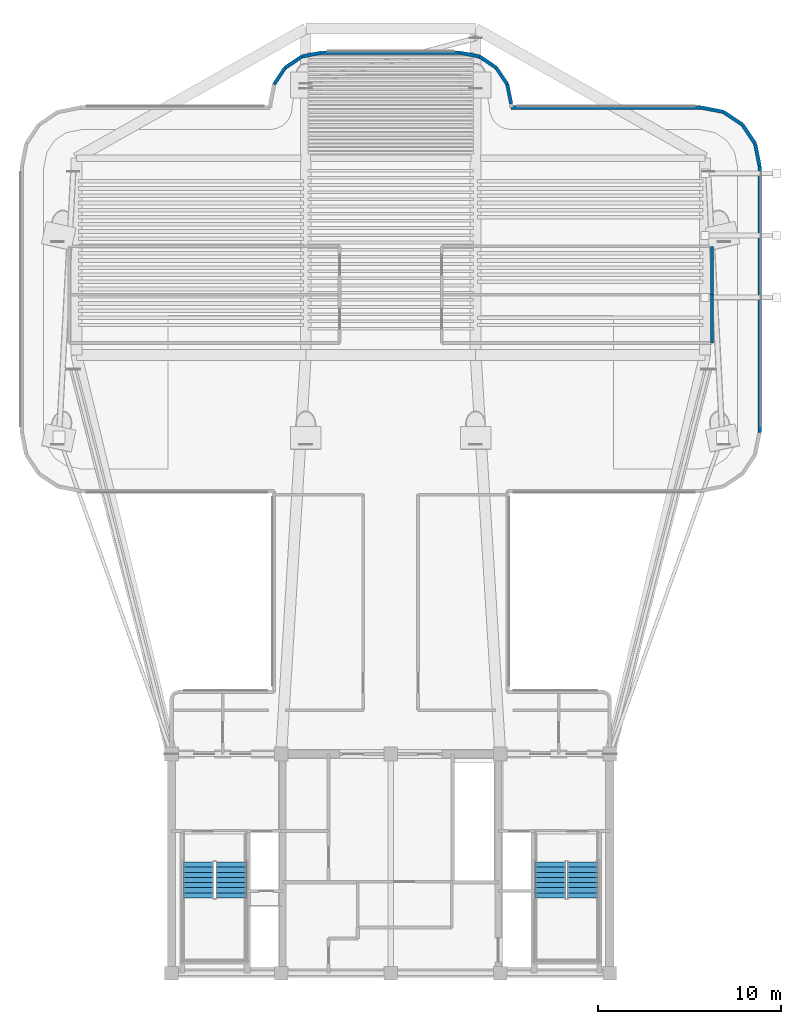
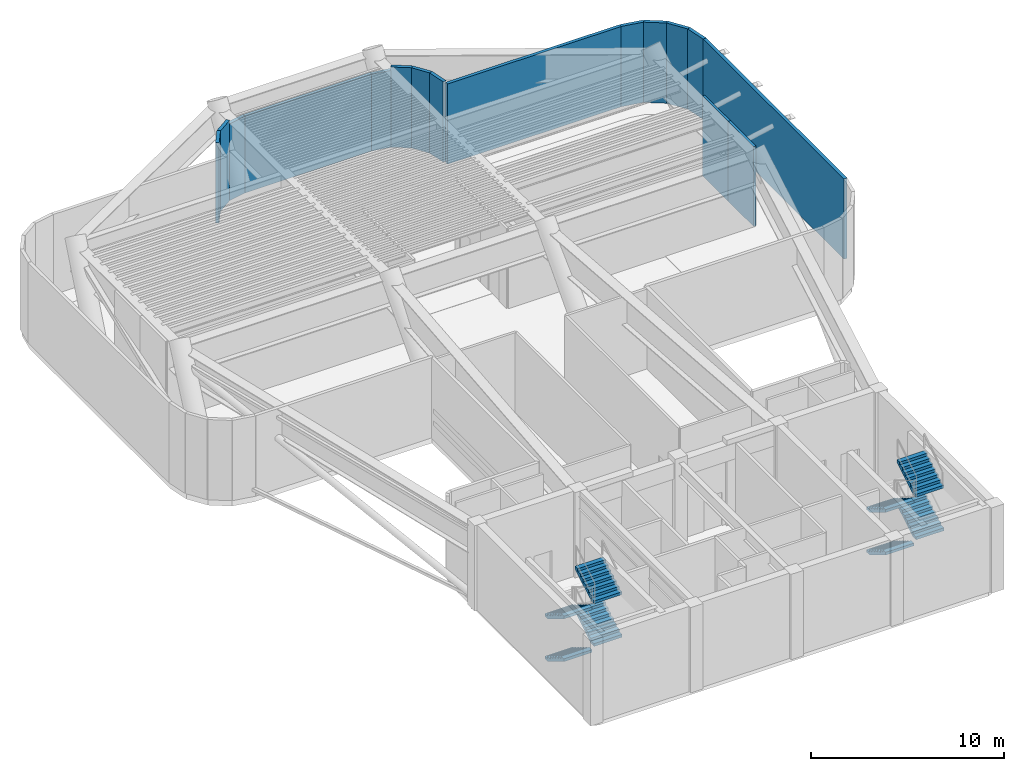
# One storey, part 7 of 11: 16 walls, 8 stair flights, 2 elements without a shape of their own.
"""IFC4 building model written with IfcOpenShell, lengths in metres."""

from ifc_helpers import new_model, si_unit, direction, frame, frame_2d, origin, place, context, subcontext, project, spatial, polyline, rectangle, outline, extrude, material, layer, layer_set, type_object, element, aggregate, save


model = new_model("IFC4")

# Units and contexts
model_context = context("Model", 3, precision=1e-05, world=origin(), true_north=direction((0.0, 1.0)))
body_context = subcontext(model_context, "Body", "Model", "MODEL_VIEW")
ifc_project = project(units=[si_unit("LENGTHUNIT", "METRE"), si_unit("AREAUNIT", "SQUARE_METRE"), si_unit("VOLUMEUNIT", "CUBIC_METRE"), si_unit("PLANEANGLEUNIT", "RADIAN"), si_unit("MASSUNIT", "GRAM", prefix="KILO")], contexts=[model_context])

# Site, building, storey
site_placement = place(None, origin())
site = spatial("IfcSite", under=ifc_project, at=site_placement, CompositionType="ELEMENT")
building_placement = place(site_placement, origin())
building = spatial("IfcBuilding", under=site, at=building_placement, Name="Brelvock Crest Care Tower", CompositionType="ELEMENT")
storey_placement = place(building_placement, frame((0.0, 0.0, 213.1201171875)))
storey = spatial("IfcBuildingStorey", under=building, at=storey_placement, Name="L54", CompositionType="ELEMENT", Elevation=213.1201171875)

# Walls
ifc_material_1 = material(Name="Precast concrete N40 (40 MPa)", Category="concrete")
ifc_layer_1 = layer(ifc_material_1, 0.195068359375, Name="WL-EX3")
ifc_layer_set_1 = layer_set([ifc_layer_1], Name="Precast concrete N40 (40 MPa)")
wall_type_1 = type_object("IfcWallType", Name="WL-EX3", PredefinedType="SOLIDWALL", material=ifc_layer_set_1)
wall_1_placement = place(storey_placement, frame((29.613037109375, 54.67138671875, 0.0), z_axis=(0.0, 0.0, 1.0), x_axis=(0.555679482341, 0.831396603857, 0.0)))
element("IfcWall", 1, at=wall_1_placement, inside=storey, type_object=wall_type_1, Name="L54 Crown and Plant Cladding Wall 25", PredefinedType="SOLIDWALL", context=body_context, shape_type="SweptSolid", body=[
    extrude(rectangle(XDim=1.0927734375, YDim=0.195068359375, at=frame_2d((0.54638671875, 0.0))), origin(), (0.0, 0.0, 1.0), 5.079833984375),
])
wall_2_placement = place(storey_placement, frame((30.22021484375, 55.579833984375, 0.0), z_axis=(0.0, 0.0, 1.0), x_axis=(0.831327592857, 0.555782721353, 0.0)))
element("IfcWall", 2, at=wall_2_placement, inside=storey, type_object=wall_type_1, Name="L54 Crown and Plant Cladding Wall 26", PredefinedType="SOLIDWALL", context=body_context, shape_type="SweptSolid", body=[
    extrude(rectangle(XDim=1.092529296875, YDim=0.195068359375, at=frame_2d((0.54638671875, 0.0))), origin(), (0.0, 0.0, 1.0), 5.079833984375),
])
wall_3_placement = place(storey_placement, frame((31.12841796875, 56.18701171875, 0.0), z_axis=(0.0, 0.0, 1.0), x_axis=(0.980829143587, 0.194869677195, 0.0)))
element("IfcWall", 3, at=wall_3_placement, inside=storey, type_object=wall_type_1, Name="L54 Crown and Plant Cladding Wall 27", PredefinedType="SOLIDWALL", context=body_context, shape_type="SweptSolid", body=[
    extrude(rectangle(XDim=1.092529296875, YDim=0.195068359375, at=frame_2d((0.54638671875, 0.0))), origin(), (0.0, 0.0, 1.0), 4.86083984375),
])
wall_4_placement = place(storey_placement, frame((32.199951171875, 56.39990234375, 0.0), z_axis=(0.0, 0.0, 1.0), x_axis=(1.0, 0.0, 0.0)))
element("IfcWall", 4, at=wall_4_placement, inside=storey, type_object=wall_type_1, Name="L54 Crown and Plant Cladding Wall 28", PredefinedType="SOLIDWALL", context=body_context, shape_type="SweptSolid", body=[
    extrude(rectangle(XDim=7.60009765625, YDim=0.195068359375, at=frame_2d((3.800048828125, 0.0))), origin(), (0.0, 0.0, 1.0), 4.86083984375),
])
wall_5_placement = place(storey_placement, frame((39.800048828125, 56.39990234375, 0.0), z_axis=(0.0, 0.0, 1.0), x_axis=(0.980829143587, -0.194869677195, 0.0)))
element("IfcWall", 5, at=wall_5_placement, inside=storey, type_object=wall_type_1, Name="L54 Crown and Plant Cladding Wall 29", PredefinedType="SOLIDWALL", context=body_context, shape_type="SweptSolid", body=[
    extrude(rectangle(XDim=1.092529296875, YDim=0.195068359375, at=frame_2d((0.54638671875, 0.0))), origin(), (0.0, 0.0, 1.0), 4.86083984375),
])
wall_6_placement = place(storey_placement, frame((40.87158203125, 56.18701171875, 0.0), z_axis=(0.0, 0.0, 1.0), x_axis=(0.831327592857, -0.555782721353, 0.0)))
element("IfcWall", 6, at=wall_6_placement, inside=storey, type_object=wall_type_1, Name="L54 Crown and Plant Cladding Wall 30", PredefinedType="SOLIDWALL", context=body_context, shape_type="SweptSolid", body=[
    extrude(rectangle(XDim=1.092529296875, YDim=0.195068359375, at=frame_2d((0.54638671875, 0.0))), origin(), (0.0, 0.0, 1.0), 5.079833984375),
])
wall_7_placement = place(storey_placement, frame((41.77978515625, 55.579833984375, 0.0), z_axis=(0.0, 0.0, 1.0), x_axis=(0.555679482341, -0.831396603857, 0.0)))
element("IfcWall", 7, at=wall_7_placement, inside=storey, type_object=wall_type_1, Name="L54 Crown and Plant Cladding Wall 31", PredefinedType="SOLIDWALL", context=body_context, shape_type="SweptSolid", body=[
    extrude(rectangle(XDim=1.0927734375, YDim=0.195068359375, at=frame_2d((0.54638671875, 0.0))), origin(), (0.0, 0.0, 1.0), 5.079833984375),
])
wall_8_placement = place(storey_placement, frame((42.386962890625, 54.67138671875, 0.0), z_axis=(0.0, 0.0, 1.0), x_axis=(0.195127417394, -0.980777900945, 0.0)))
element("IfcWall", 8, at=wall_8_placement, inside=storey, type_object=wall_type_1, Name="L54 Crown and Plant Cladding Wall 32", PredefinedType="SOLIDWALL", context=body_context, shape_type="SweptSolid", body=[
    extrude(rectangle(XDim=1.09228515625, YDim=0.195068359375, at=frame_2d((0.546142578125, 0.0))), origin(), (0.0, 0.0, 1.0), 5.079833984375),
])
wall_9_placement = place(storey_placement, frame((42.60009765625, 53.39990234375, 0.0), z_axis=(0.0, 0.0, 1.0), x_axis=(1.0, 0.0, 0.0)))
element("IfcWall", 9, at=wall_9_placement, inside=storey, type_object=wall_type_1, Name="L54 Crown and Plant Cladding Wall 34", PredefinedType="SOLIDWALL", context=body_context, shape_type="SweptSolid", body=[
    extrude(rectangle(XDim=10.39990234375, YDim=0.195068359375, at=frame_2d((5.199951171875, 0.0))), origin(), (0.0, 0.0, 1.0), 5.079833984375),
])
for number, where, z_axis, x_axis, name in (
    (10, (53.0, 53.39990234375, 0.0), (0.0, 0.0, 1.0), (0.980813122964, -0.194950295773, 0.0), "L54 Crown and Plant Cladding Wall 35"),
    (11, (54.224609375, 53.156494140625, 0.0), (0.0, 0.0, 1.0), (0.831387912822, -0.555692485475, 0.0), "L54 Crown and Plant Cladding Wall 36"),
    (12, (55.2626953125, 52.462646484375, 0.0), (0.0, 0.0, 1.0), (0.555557312883, -0.831478245117, 0.0), "L54 Crown and Plant Cladding Wall 37"),
    (13, (55.956298828125, 51.424560546875, 0.0), (0.0, 0.0, 1.0), (0.195138390419, -0.980775717779, 0.0), "L54 Crown and Plant Cladding Wall 38"),
):
    element("IfcWall", number, at=place(storey_placement, frame(where, z_axis=z_axis, x_axis=x_axis)), inside=storey, type_object=wall_type_1, Name=name, PredefinedType="SOLIDWALL", context=body_context, shape_type="SweptSolid", body=[
        extrude(rectangle(XDim=1.24853515625, YDim=0.195068359375, at=frame_2d((0.624267578125, 0.0))), origin(), (0.0, 0.0, 1.0), 5.079833984375),
    ])
wall_10_placement = place(storey_placement, frame((56.199951171875, 50.199951171875, 0.0), z_axis=(0.0, 0.0, 1.0), x_axis=(0.0, -1.0, 0.0)))
element("IfcWall", 14, at=wall_10_placement, inside=storey, type_object=wall_type_1, Name="L54 Crown and Plant Cladding Wall 39", PredefinedType="SOLIDWALL", context=body_context, shape_type="SweptSolid", body=[
    extrude(rectangle(XDim=14.599853515625, YDim=0.195068359375, at=frame_2d((7.2998046875, 0.0))), origin(), (0.0, 0.0, 1.0), 5.079833984375),
])
ifc_material_2 = material(Name="Masonry Blockwork Acoustic Partition", Category="masonry")
ifc_layer_2 = layer(ifc_material_2, 0.14990234375, Name="WL-INT1")
ifc_layer_set_2 = layer_set([ifc_layer_2], Name="Masonry Blockwork Acoustic Partition")
wall_type_2 = type_object("IfcWallType", Name="WL-INT1", PredefinedType="PARTITIONING", material=ifc_layer_set_2)
wall_11_placement = place(storey_placement, frame((53.60009765625, 40.5, 0.0), z_axis=(0.0, 0.0, 1.0), x_axis=(0.0, 1.0, 0.0)))
element("IfcWall", 15, at=wall_11_placement, inside=storey, type_object=wall_type_2, Name="L54 Interior Wall WL-BX-L54-CHLE-E", PredefinedType="PARTITIONING", context=body_context, shape_type="SweptSolid", body=[
    extrude(rectangle(XDim=2.64990234375, YDim=0.14990234375, at=frame_2d((1.324951171875, 0.0))), origin(), (0.0, 0.0, 1.0), 5.0498046875),
])
wall_12_placement = place(storey_placement, frame((53.60009765625, 43.14990234375, 0.0), z_axis=(0.0, 0.0, 1.0), x_axis=(0.0, 1.0, 0.0)))
element("IfcWall", 16, at=wall_12_placement, inside=storey, type_object=wall_type_2, Name="L54 Interior Wall WL-BX-L54-SWGE-E", PredefinedType="PARTITIONING", context=body_context, shape_type="SweptSolid", body=[
    extrude(rectangle(XDim=2.650146484375, YDim=0.14990234375, at=frame_2d((1.3251953125, 0.0))), origin(), (0.0, 0.0, 1.0), 5.0498046875),
])

# Stair, stair flights
ifc_material_3 = material(Name="Concrete N40 (40 MPa)", Category="concrete")
stair_type = type_object("IfcStairType", Name="ST-CORE1", PredefinedType="HALF_TURN_STAIR", material=ifc_material_3)
stair_1_placement = place(storey_placement, origin())
stair_1 = element("IfcStair", 17, at=stair_1_placement, inside=storey, type_object=stair_type, Name="L54 Fire-Isolated Core Stair ST-1", PredefinedType="HALF_TURN_STAIR")
stair_flight_type = type_object("IfcStairFlightType", Name="STF-1", PredefinedType="STRAIGHT", material=ifc_material_3)
stair_flight_1_placement = place(storey_placement, frame((25.469970703125, 12.080078125, 0.0), z_axis=(0.0, 0.0, 1.0), x_axis=(0.0, -1.0, 0.0)))
stair_flight_1 = element("IfcStairFlight", 18, at=stair_flight_1_placement, type_object=stair_flight_type, Name="ST-1 flight 1", NumberOfRisers=8, NumberOfTreads=7, PredefinedType="STRAIGHT", RiserHeight=0.16875, TreadLength=0.28, context=body_context, shape_type="SweptSolid", body=[
    extrude(outline(polyline([(-0.00390625, -0.014892578125), (-0.00390625, -0.008544921875), (-0.00390625, -0.001953125), (-0.00390625, 0.004638671875), (-0.00390625, 0.01123046875), (-0.00390625, 0.017822265625), (-0.00390625, 0.0244140625), (-0.00390625, 0.031005859375), (-0.00390625, 0.03759765625), (-0.00390625, 0.0439453125), (-0.00390625, 0.050537109375), (-0.00390625, 0.05712890625), (-0.00390625, 0.063720703125), (-0.00390625, 0.0703125), (-0.00390625, 0.076904296875), (-0.00390625, 0.08349609375), (-0.00390625, 0.090087890625), (-0.00390625, 0.0966796875), (-0.00390625, 0.10302734375), (-0.00390625, 0.109619140625), (-0.00390625, 0.1162109375), (-0.00390625, 0.122802734375), (-0.00390625, 0.12939453125), (-0.00390625, 0.135986328125), (-0.00390625, 0.142578125), (-0.00390625, 0.149169921875), (-0.00390625, 0.155517578125), (-0.00390625, 0.162109375), (-0.00390625, 0.168701171875), (0.0, 0.168701171875), (0.280029296875, 0.168701171875), (0.280029296875, 0.33740234375), (0.56005859375, 0.33740234375), (0.56005859375, 0.50634765625), (0.840087890625, 0.50634765625), (0.840087890625, 0.675048828125), (1.1201171875, 0.675048828125), (1.1201171875, 0.84375), (1.39990234375, 0.84375), (1.39990234375, 1.012451171875), (1.679931640625, 1.012451171875), (1.679931640625, 1.18115234375), (1.9599609375, 1.18115234375), (1.964111328125, 1.18115234375), (1.9638671875, 1.18017578125), (1.964111328125, 1.17919921875), (1.9638671875, 1.17822265625), (1.964111328125, 1.177001953125), (1.9638671875, 1.176025390625), (1.964111328125, 1.175048828125), (1.9638671875, 1.173828125), (1.964111328125, 1.1728515625), (1.9638671875, 1.171875), (1.964111328125, 1.1708984375), (1.9638671875, 1.169677734375), (1.964111328125, 1.168701171875), (1.9638671875, 1.167724609375), (1.964111328125, 1.166748046875), (1.9638671875, 1.16552734375), (1.964111328125, 1.16455078125), (1.9638671875, 1.16357421875), (1.964111328125, 1.162353515625), (1.9638671875, 1.161376953125), (1.964111328125, 1.160400390625), (1.9638671875, 1.159423828125), (1.964111328125, 1.158203125), (1.9638671875, 1.1572265625), (1.964111328125, 1.15625), (1.9638671875, 1.155029296875), (1.964111328125, 1.154052734375), (1.9638671875, 1.153076171875), (1.964111328125, 1.152099609375), (1.9599609375, 1.00634765625), (0.29052734375, 0.0), (0.0, 0.0), (0.0, -0.014892578125), (-0.00390625, -0.014892578125)])), frame((0.0, 0.83984375, 0.0), z_axis=(0.0, -1.0, 0.0), x_axis=(1.0, 0.0, 0.0)), (0.0, 0.0, 1.0), 1.679931640625),
])
stair_flight_2_placement = place(storey_placement, frame((27.27001953125, 10.1201171875, 1.349853515625), z_axis=(0.0, 0.0, 1.0), x_axis=(0.0, 1.0, 0.0)))
stair_flight_2 = element("IfcStairFlight", 19, at=stair_flight_2_placement, type_object=stair_flight_type, Name="ST-1 flight 2", NumberOfRisers=8, NumberOfTreads=7, PredefinedType="STRAIGHT", RiserHeight=0.16875, TreadLength=0.28, context=body_context, shape_type="SweptSolid", body=[
    extrude(outline(polyline([(-0.00390625, -0.014892578125), (-0.00390625, -0.008544921875), (-0.00390625, -0.001953125), (-0.00390625, 0.004638671875), (-0.00390625, 0.01123046875), (-0.00390625, 0.017822265625), (-0.00390625, 0.0244140625), (-0.00390625, 0.031005859375), (-0.00390625, 0.03759765625), (-0.00390625, 0.0439453125), (-0.00390625, 0.050537109375), (-0.00390625, 0.05712890625), (-0.00390625, 0.063720703125), (-0.00390625, 0.0703125), (-0.00390625, 0.076904296875), (-0.00390625, 0.08349609375), (-0.00390625, 0.090087890625), (-0.00390625, 0.0966796875), (-0.00390625, 0.10302734375), (-0.00390625, 0.109619140625), (-0.00390625, 0.1162109375), (-0.00390625, 0.122802734375), (-0.00390625, 0.12939453125), (-0.00390625, 0.135986328125), (-0.00390625, 0.142578125), (-0.00390625, 0.149169921875), (-0.00390625, 0.155517578125), (-0.00390625, 0.162109375), (-0.00390625, 0.168701171875), (0.0, 0.168701171875), (0.280029296875, 0.168701171875), (0.280029296875, 0.33740234375), (0.56005859375, 0.33740234375), (0.56005859375, 0.50634765625), (0.840087890625, 0.50634765625), (0.840087890625, 0.675048828125), (1.1201171875, 0.675048828125), (1.1201171875, 0.84375), (1.39990234375, 0.84375), (1.39990234375, 1.012451171875), (1.679931640625, 1.012451171875), (1.679931640625, 1.18115234375), (1.9599609375, 1.18115234375), (1.964111328125, 1.18115234375), (1.9638671875, 1.18017578125), (1.964111328125, 1.17919921875), (1.9638671875, 1.17822265625), (1.964111328125, 1.177001953125), (1.9638671875, 1.176025390625), (1.964111328125, 1.175048828125), (1.9638671875, 1.173828125), (1.964111328125, 1.1728515625), (1.9638671875, 1.171875), (1.964111328125, 1.1708984375), (1.9638671875, 1.169677734375), (1.964111328125, 1.168701171875), (1.9638671875, 1.167724609375), (1.964111328125, 1.166748046875), (1.9638671875, 1.16552734375), (1.964111328125, 1.16455078125), (1.9638671875, 1.16357421875), (1.964111328125, 1.162353515625), (1.9638671875, 1.161376953125), (1.964111328125, 1.160400390625), (1.9638671875, 1.159423828125), (1.964111328125, 1.158203125), (1.9638671875, 1.1572265625), (1.964111328125, 1.15625), (1.9638671875, 1.155029296875), (1.964111328125, 1.154052734375), (1.9638671875, 1.153076171875), (1.964111328125, 1.152099609375), (1.9599609375, 1.00634765625), (0.29052734375, 0.0), (0.0, 0.0), (0.0, -0.014892578125), (-0.00390625, -0.014892578125)])), frame((0.0, 0.83984375, 0.0), z_axis=(0.0, -1.0, 0.0), x_axis=(1.0, 0.0, 0.0)), (0.0, 0.0, 1.0), 1.679931640625),
])
stair_flight_3_placement = place(storey_placement, frame((25.469970703125, 12.080078125, 2.699951171875), z_axis=(0.0, 0.0, 1.0), x_axis=(0.0, -1.0, 0.0)))
stair_flight_3 = element("IfcStairFlight", 20, at=stair_flight_3_placement, type_object=stair_flight_type, Name="ST-1 flight 3", NumberOfRisers=8, NumberOfTreads=7, PredefinedType="STRAIGHT", RiserHeight=0.16875, TreadLength=0.28, context=body_context, shape_type="SweptSolid", body=[
    extrude(outline(polyline([(-0.00390625, -0.014892578125), (-0.00390625, -0.008544921875), (-0.00390625, -0.001953125), (-0.00390625, 0.004638671875), (-0.00390625, 0.01123046875), (-0.00390625, 0.017822265625), (-0.00390625, 0.0244140625), (-0.00390625, 0.031005859375), (-0.00390625, 0.03759765625), (-0.00390625, 0.0439453125), (-0.00390625, 0.050537109375), (-0.00390625, 0.05712890625), (-0.00390625, 0.063720703125), (-0.00390625, 0.0703125), (-0.00390625, 0.076904296875), (-0.00390625, 0.08349609375), (-0.00390625, 0.090087890625), (-0.00390625, 0.0966796875), (-0.00390625, 0.10302734375), (-0.00390625, 0.109619140625), (-0.00390625, 0.1162109375), (-0.00390625, 0.122802734375), (-0.00390625, 0.12939453125), (-0.00390625, 0.135986328125), (-0.00390625, 0.142578125), (-0.00390625, 0.149169921875), (-0.00390625, 0.155517578125), (-0.00390625, 0.162109375), (-0.00390625, 0.168701171875), (0.0, 0.168701171875), (0.280029296875, 0.168701171875), (0.280029296875, 0.33740234375), (0.56005859375, 0.33740234375), (0.56005859375, 0.50634765625), (0.840087890625, 0.50634765625), (0.840087890625, 0.675048828125), (1.1201171875, 0.675048828125), (1.1201171875, 0.84375), (1.39990234375, 0.84375), (1.39990234375, 1.012451171875), (1.679931640625, 1.012451171875), (1.679931640625, 1.18115234375), (1.9599609375, 1.18115234375), (1.964111328125, 1.18115234375), (1.9638671875, 1.18017578125), (1.964111328125, 1.17919921875), (1.9638671875, 1.17822265625), (1.964111328125, 1.177001953125), (1.9638671875, 1.176025390625), (1.964111328125, 1.175048828125), (1.9638671875, 1.173828125), (1.964111328125, 1.1728515625), (1.9638671875, 1.171875), (1.964111328125, 1.1708984375), (1.9638671875, 1.169677734375), (1.964111328125, 1.168701171875), (1.9638671875, 1.167724609375), (1.964111328125, 1.166748046875), (1.9638671875, 1.16552734375), (1.964111328125, 1.16455078125), (1.9638671875, 1.16357421875), (1.964111328125, 1.162353515625), (1.9638671875, 1.161376953125), (1.964111328125, 1.160400390625), (1.9638671875, 1.159423828125), (1.964111328125, 1.158203125), (1.9638671875, 1.1572265625), (1.964111328125, 1.15625), (1.9638671875, 1.155029296875), (1.964111328125, 1.154052734375), (1.9638671875, 1.153076171875), (1.964111328125, 1.152099609375), (1.9599609375, 1.00634765625), (0.29052734375, 0.0), (0.0, 0.0), (0.0, -0.014892578125), (-0.00390625, -0.014892578125)])), frame((0.0, 0.83984375, 0.0), z_axis=(0.0, -1.0, 0.0), x_axis=(1.0, 0.0, 0.0)), (0.0, 0.0, 1.0), 1.679931640625),
])
stair_flight_4_placement = place(storey_placement, frame((27.27001953125, 10.1201171875, 4.0498046875), z_axis=(0.0, 0.0, 1.0), x_axis=(0.0, 1.0, 0.0)))
stair_flight_4 = element("IfcStairFlight", 21, at=stair_flight_4_placement, type_object=stair_flight_type, Name="ST-1 flight 4", NumberOfRisers=8, NumberOfTreads=7, PredefinedType="STRAIGHT", RiserHeight=0.16875, TreadLength=0.28, context=body_context, shape_type="SweptSolid", body=[
    extrude(outline(polyline([(-0.00390625, -0.014892578125), (-0.00390625, -0.008544921875), (-0.00390625, -0.001953125), (-0.00390625, 0.004638671875), (-0.00390625, 0.01123046875), (-0.00390625, 0.017822265625), (-0.00390625, 0.0244140625), (-0.00390625, 0.031005859375), (-0.00390625, 0.03759765625), (-0.00390625, 0.0439453125), (-0.00390625, 0.050537109375), (-0.00390625, 0.05712890625), (-0.00390625, 0.063720703125), (-0.00390625, 0.0703125), (-0.00390625, 0.076904296875), (-0.00390625, 0.08349609375), (-0.00390625, 0.090087890625), (-0.00390625, 0.0966796875), (-0.00390625, 0.10302734375), (-0.00390625, 0.109619140625), (-0.00390625, 0.1162109375), (-0.00390625, 0.122802734375), (-0.00390625, 0.12939453125), (-0.00390625, 0.135986328125), (-0.00390625, 0.142578125), (-0.00390625, 0.149169921875), (-0.00390625, 0.155517578125), (-0.00390625, 0.162109375), (-0.00390625, 0.168701171875), (0.0, 0.168701171875), (0.280029296875, 0.168701171875), (0.280029296875, 0.33740234375), (0.56005859375, 0.33740234375), (0.56005859375, 0.50634765625), (0.840087890625, 0.50634765625), (0.840087890625, 0.675048828125), (1.1201171875, 0.675048828125), (1.1201171875, 0.84375), (1.39990234375, 0.84375), (1.39990234375, 1.012451171875), (1.679931640625, 1.012451171875), (1.679931640625, 1.18115234375), (1.9599609375, 1.18115234375), (1.964111328125, 1.18115234375), (1.9638671875, 1.18017578125), (1.964111328125, 1.17919921875), (1.9638671875, 1.17822265625), (1.964111328125, 1.177001953125), (1.9638671875, 1.176025390625), (1.964111328125, 1.175048828125), (1.9638671875, 1.173828125), (1.964111328125, 1.1728515625), (1.9638671875, 1.171875), (1.964111328125, 1.1708984375), (1.9638671875, 1.169677734375), (1.964111328125, 1.168701171875), (1.9638671875, 1.167724609375), (1.964111328125, 1.166748046875), (1.9638671875, 1.16552734375), (1.964111328125, 1.16455078125), (1.9638671875, 1.16357421875), (1.964111328125, 1.162353515625), (1.9638671875, 1.161376953125), (1.964111328125, 1.160400390625), (1.9638671875, 1.159423828125), (1.964111328125, 1.158203125), (1.9638671875, 1.1572265625), (1.964111328125, 1.15625), (1.9638671875, 1.155029296875), (1.964111328125, 1.154052734375), (1.9638671875, 1.153076171875), (1.964111328125, 1.152099609375), (1.9599609375, 1.00634765625), (0.29052734375, 0.0), (0.0, 0.0), (0.0, -0.014892578125), (-0.00390625, -0.014892578125)])), frame((0.0, 0.83984375, 0.0), z_axis=(0.0, -1.0, 0.0), x_axis=(1.0, 0.0, 0.0)), (0.0, 0.0, 1.0), 1.679931640625),
])
aggregate(stair_1, [stair_flight_1, stair_flight_2, stair_flight_3, stair_flight_4])

stair_2_placement = place(storey_placement, origin())
stair_2 = element("IfcStair", 22, at=stair_2_placement, inside=storey, type_object=stair_type, Name="L54 Fire-Isolated Core Stair ST-2", PredefinedType="HALF_TURN_STAIR")
stair_flight_5_placement = place(storey_placement, frame((44.72998046875, 12.080078125, 0.0), z_axis=(0.0, 0.0, 1.0), x_axis=(0.0, -1.0, 0.0)))
stair_flight_5 = element("IfcStairFlight", 23, at=stair_flight_5_placement, type_object=stair_flight_type, Name="ST-2 flight 1", NumberOfRisers=8, NumberOfTreads=7, PredefinedType="STRAIGHT", RiserHeight=0.16875, TreadLength=0.28, context=body_context, shape_type="SweptSolid", body=[
    extrude(outline(polyline([(-0.00390625, -0.014892578125), (-0.00390625, -0.008544921875), (-0.00390625, -0.001953125), (-0.00390625, 0.004638671875), (-0.00390625, 0.01123046875), (-0.00390625, 0.017822265625), (-0.00390625, 0.0244140625), (-0.00390625, 0.031005859375), (-0.00390625, 0.03759765625), (-0.00390625, 0.0439453125), (-0.00390625, 0.050537109375), (-0.00390625, 0.05712890625), (-0.00390625, 0.063720703125), (-0.00390625, 0.0703125), (-0.00390625, 0.076904296875), (-0.00390625, 0.08349609375), (-0.00390625, 0.090087890625), (-0.00390625, 0.0966796875), (-0.00390625, 0.10302734375), (-0.00390625, 0.109619140625), (-0.00390625, 0.1162109375), (-0.00390625, 0.122802734375), (-0.00390625, 0.12939453125), (-0.00390625, 0.135986328125), (-0.00390625, 0.142578125), (-0.00390625, 0.149169921875), (-0.00390625, 0.155517578125), (-0.00390625, 0.162109375), (-0.00390625, 0.168701171875), (0.0, 0.168701171875), (0.280029296875, 0.168701171875), (0.280029296875, 0.33740234375), (0.56005859375, 0.33740234375), (0.56005859375, 0.50634765625), (0.840087890625, 0.50634765625), (0.840087890625, 0.675048828125), (1.1201171875, 0.675048828125), (1.1201171875, 0.84375), (1.39990234375, 0.84375), (1.39990234375, 1.012451171875), (1.679931640625, 1.012451171875), (1.679931640625, 1.18115234375), (1.9599609375, 1.18115234375), (1.964111328125, 1.18115234375), (1.9638671875, 1.18017578125), (1.964111328125, 1.17919921875), (1.9638671875, 1.17822265625), (1.964111328125, 1.177001953125), (1.9638671875, 1.176025390625), (1.964111328125, 1.175048828125), (1.9638671875, 1.173828125), (1.964111328125, 1.1728515625), (1.9638671875, 1.171875), (1.964111328125, 1.1708984375), (1.9638671875, 1.169677734375), (1.964111328125, 1.168701171875), (1.9638671875, 1.167724609375), (1.964111328125, 1.166748046875), (1.9638671875, 1.16552734375), (1.964111328125, 1.16455078125), (1.9638671875, 1.16357421875), (1.964111328125, 1.162353515625), (1.9638671875, 1.161376953125), (1.964111328125, 1.160400390625), (1.9638671875, 1.159423828125), (1.964111328125, 1.158203125), (1.9638671875, 1.1572265625), (1.964111328125, 1.15625), (1.9638671875, 1.155029296875), (1.964111328125, 1.154052734375), (1.9638671875, 1.153076171875), (1.964111328125, 1.152099609375), (1.9599609375, 1.00634765625), (0.29052734375, 0.0), (0.0, 0.0), (0.0, -0.014892578125), (-0.00390625, -0.014892578125)])), frame((0.0, 0.83984375, 0.0), z_axis=(0.0, -1.0, 0.0), x_axis=(1.0, 0.0, 0.0)), (0.0, 0.0, 1.0), 1.679931640625),
])
stair_flight_6_placement = place(storey_placement, frame((46.530029296875, 10.1201171875, 1.349853515625), z_axis=(0.0, 0.0, 1.0), x_axis=(0.0, 1.0, 0.0)))
stair_flight_6 = element("IfcStairFlight", 24, at=stair_flight_6_placement, type_object=stair_flight_type, Name="ST-2 flight 2", NumberOfRisers=8, NumberOfTreads=7, PredefinedType="STRAIGHT", RiserHeight=0.16875, TreadLength=0.28, context=body_context, shape_type="SweptSolid", body=[
    extrude(outline(polyline([(-0.00390625, -0.014892578125), (-0.00390625, -0.008544921875), (-0.00390625, -0.001953125), (-0.00390625, 0.004638671875), (-0.00390625, 0.01123046875), (-0.00390625, 0.017822265625), (-0.00390625, 0.0244140625), (-0.00390625, 0.031005859375), (-0.00390625, 0.03759765625), (-0.00390625, 0.0439453125), (-0.00390625, 0.050537109375), (-0.00390625, 0.05712890625), (-0.00390625, 0.063720703125), (-0.00390625, 0.0703125), (-0.00390625, 0.076904296875), (-0.00390625, 0.08349609375), (-0.00390625, 0.090087890625), (-0.00390625, 0.0966796875), (-0.00390625, 0.10302734375), (-0.00390625, 0.109619140625), (-0.00390625, 0.1162109375), (-0.00390625, 0.122802734375), (-0.00390625, 0.12939453125), (-0.00390625, 0.135986328125), (-0.00390625, 0.142578125), (-0.00390625, 0.149169921875), (-0.00390625, 0.155517578125), (-0.00390625, 0.162109375), (-0.00390625, 0.168701171875), (0.0, 0.168701171875), (0.280029296875, 0.168701171875), (0.280029296875, 0.33740234375), (0.56005859375, 0.33740234375), (0.56005859375, 0.50634765625), (0.840087890625, 0.50634765625), (0.840087890625, 0.675048828125), (1.1201171875, 0.675048828125), (1.1201171875, 0.84375), (1.39990234375, 0.84375), (1.39990234375, 1.012451171875), (1.679931640625, 1.012451171875), (1.679931640625, 1.18115234375), (1.9599609375, 1.18115234375), (1.964111328125, 1.18115234375), (1.9638671875, 1.18017578125), (1.964111328125, 1.17919921875), (1.9638671875, 1.17822265625), (1.964111328125, 1.177001953125), (1.9638671875, 1.176025390625), (1.964111328125, 1.175048828125), (1.9638671875, 1.173828125), (1.964111328125, 1.1728515625), (1.9638671875, 1.171875), (1.964111328125, 1.1708984375), (1.9638671875, 1.169677734375), (1.964111328125, 1.168701171875), (1.9638671875, 1.167724609375), (1.964111328125, 1.166748046875), (1.9638671875, 1.16552734375), (1.964111328125, 1.16455078125), (1.9638671875, 1.16357421875), (1.964111328125, 1.162353515625), (1.9638671875, 1.161376953125), (1.964111328125, 1.160400390625), (1.9638671875, 1.159423828125), (1.964111328125, 1.158203125), (1.9638671875, 1.1572265625), (1.964111328125, 1.15625), (1.9638671875, 1.155029296875), (1.964111328125, 1.154052734375), (1.9638671875, 1.153076171875), (1.964111328125, 1.152099609375), (1.9599609375, 1.00634765625), (0.29052734375, 0.0), (0.0, 0.0), (0.0, -0.014892578125), (-0.00390625, -0.014892578125)])), frame((0.0, 0.83984375, 0.0), z_axis=(0.0, -1.0, 0.0), x_axis=(1.0, 0.0, 0.0)), (0.0, 0.0, 1.0), 1.679931640625),
])
stair_flight_7_placement = place(storey_placement, frame((44.72998046875, 12.080078125, 2.699951171875), z_axis=(0.0, 0.0, 1.0), x_axis=(0.0, -1.0, 0.0)))
stair_flight_7 = element("IfcStairFlight", 25, at=stair_flight_7_placement, type_object=stair_flight_type, Name="ST-2 flight 3", NumberOfRisers=8, NumberOfTreads=7, PredefinedType="STRAIGHT", RiserHeight=0.16875, TreadLength=0.28, context=body_context, shape_type="SweptSolid", body=[
    extrude(outline(polyline([(-0.00390625, -0.014892578125), (-0.00390625, -0.008544921875), (-0.00390625, -0.001953125), (-0.00390625, 0.004638671875), (-0.00390625, 0.01123046875), (-0.00390625, 0.017822265625), (-0.00390625, 0.0244140625), (-0.00390625, 0.031005859375), (-0.00390625, 0.03759765625), (-0.00390625, 0.0439453125), (-0.00390625, 0.050537109375), (-0.00390625, 0.05712890625), (-0.00390625, 0.063720703125), (-0.00390625, 0.0703125), (-0.00390625, 0.076904296875), (-0.00390625, 0.08349609375), (-0.00390625, 0.090087890625), (-0.00390625, 0.0966796875), (-0.00390625, 0.10302734375), (-0.00390625, 0.109619140625), (-0.00390625, 0.1162109375), (-0.00390625, 0.122802734375), (-0.00390625, 0.12939453125), (-0.00390625, 0.135986328125), (-0.00390625, 0.142578125), (-0.00390625, 0.149169921875), (-0.00390625, 0.155517578125), (-0.00390625, 0.162109375), (-0.00390625, 0.168701171875), (0.0, 0.168701171875), (0.280029296875, 0.168701171875), (0.280029296875, 0.33740234375), (0.56005859375, 0.33740234375), (0.56005859375, 0.50634765625), (0.840087890625, 0.50634765625), (0.840087890625, 0.675048828125), (1.1201171875, 0.675048828125), (1.1201171875, 0.84375), (1.39990234375, 0.84375), (1.39990234375, 1.012451171875), (1.679931640625, 1.012451171875), (1.679931640625, 1.18115234375), (1.9599609375, 1.18115234375), (1.964111328125, 1.18115234375), (1.9638671875, 1.18017578125), (1.964111328125, 1.17919921875), (1.9638671875, 1.17822265625), (1.964111328125, 1.177001953125), (1.9638671875, 1.176025390625), (1.964111328125, 1.175048828125), (1.9638671875, 1.173828125), (1.964111328125, 1.1728515625), (1.9638671875, 1.171875), (1.964111328125, 1.1708984375), (1.9638671875, 1.169677734375), (1.964111328125, 1.168701171875), (1.9638671875, 1.167724609375), (1.964111328125, 1.166748046875), (1.9638671875, 1.16552734375), (1.964111328125, 1.16455078125), (1.9638671875, 1.16357421875), (1.964111328125, 1.162353515625), (1.9638671875, 1.161376953125), (1.964111328125, 1.160400390625), (1.9638671875, 1.159423828125), (1.964111328125, 1.158203125), (1.9638671875, 1.1572265625), (1.964111328125, 1.15625), (1.9638671875, 1.155029296875), (1.964111328125, 1.154052734375), (1.9638671875, 1.153076171875), (1.964111328125, 1.152099609375), (1.9599609375, 1.00634765625), (0.29052734375, 0.0), (0.0, 0.0), (0.0, -0.014892578125), (-0.00390625, -0.014892578125)])), frame((0.0, 0.83984375, 0.0), z_axis=(0.0, -1.0, 0.0), x_axis=(1.0, 0.0, 0.0)), (0.0, 0.0, 1.0), 1.679931640625),
])
stair_flight_8_placement = place(storey_placement, frame((46.530029296875, 10.1201171875, 4.0498046875), z_axis=(0.0, 0.0, 1.0), x_axis=(0.0, 1.0, 0.0)))
stair_flight_8 = element("IfcStairFlight", 26, at=stair_flight_8_placement, type_object=stair_flight_type, Name="ST-2 flight 4", NumberOfRisers=8, NumberOfTreads=7, PredefinedType="STRAIGHT", RiserHeight=0.16875, TreadLength=0.28, context=body_context, shape_type="SweptSolid", body=[
    extrude(outline(polyline([(-0.00390625, -0.014892578125), (-0.00390625, -0.008544921875), (-0.00390625, -0.001953125), (-0.00390625, 0.004638671875), (-0.00390625, 0.01123046875), (-0.00390625, 0.017822265625), (-0.00390625, 0.0244140625), (-0.00390625, 0.031005859375), (-0.00390625, 0.03759765625), (-0.00390625, 0.0439453125), (-0.00390625, 0.050537109375), (-0.00390625, 0.05712890625), (-0.00390625, 0.063720703125), (-0.00390625, 0.0703125), (-0.00390625, 0.076904296875), (-0.00390625, 0.08349609375), (-0.00390625, 0.090087890625), (-0.00390625, 0.0966796875), (-0.00390625, 0.10302734375), (-0.00390625, 0.109619140625), (-0.00390625, 0.1162109375), (-0.00390625, 0.122802734375), (-0.00390625, 0.12939453125), (-0.00390625, 0.135986328125), (-0.00390625, 0.142578125), (-0.00390625, 0.149169921875), (-0.00390625, 0.155517578125), (-0.00390625, 0.162109375), (-0.00390625, 0.168701171875), (0.0, 0.168701171875), (0.280029296875, 0.168701171875), (0.280029296875, 0.33740234375), (0.56005859375, 0.33740234375), (0.56005859375, 0.50634765625), (0.840087890625, 0.50634765625), (0.840087890625, 0.675048828125), (1.1201171875, 0.675048828125), (1.1201171875, 0.84375), (1.39990234375, 0.84375), (1.39990234375, 1.012451171875), (1.679931640625, 1.012451171875), (1.679931640625, 1.18115234375), (1.9599609375, 1.18115234375), (1.964111328125, 1.18115234375), (1.9638671875, 1.18017578125), (1.964111328125, 1.17919921875), (1.9638671875, 1.17822265625), (1.964111328125, 1.177001953125), (1.9638671875, 1.176025390625), (1.964111328125, 1.175048828125), (1.9638671875, 1.173828125), (1.964111328125, 1.1728515625), (1.9638671875, 1.171875), (1.964111328125, 1.1708984375), (1.9638671875, 1.169677734375), (1.964111328125, 1.168701171875), (1.9638671875, 1.167724609375), (1.964111328125, 1.166748046875), (1.9638671875, 1.16552734375), (1.964111328125, 1.16455078125), (1.9638671875, 1.16357421875), (1.964111328125, 1.162353515625), (1.9638671875, 1.161376953125), (1.964111328125, 1.160400390625), (1.9638671875, 1.159423828125), (1.964111328125, 1.158203125), (1.9638671875, 1.1572265625), (1.964111328125, 1.15625), (1.9638671875, 1.155029296875), (1.964111328125, 1.154052734375), (1.9638671875, 1.153076171875), (1.964111328125, 1.152099609375), (1.9599609375, 1.00634765625), (0.29052734375, 0.0), (0.0, 0.0), (0.0, -0.014892578125), (-0.00390625, -0.014892578125)])), frame((0.0, 0.83984375, 0.0), z_axis=(0.0, -1.0, 0.0), x_axis=(1.0, 0.0, 0.0)), (0.0, 0.0, 1.0), 1.679931640625),
])
aggregate(stair_2, [stair_flight_5, stair_flight_6, stair_flight_7, stair_flight_8])

save(model, "model.ifc")
